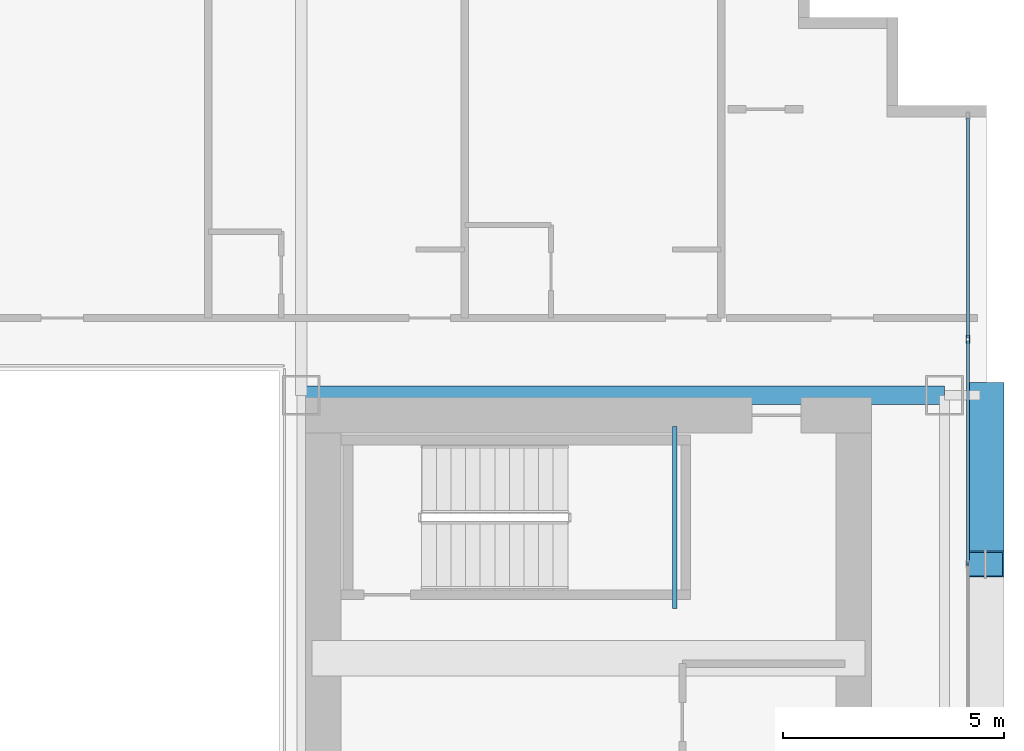
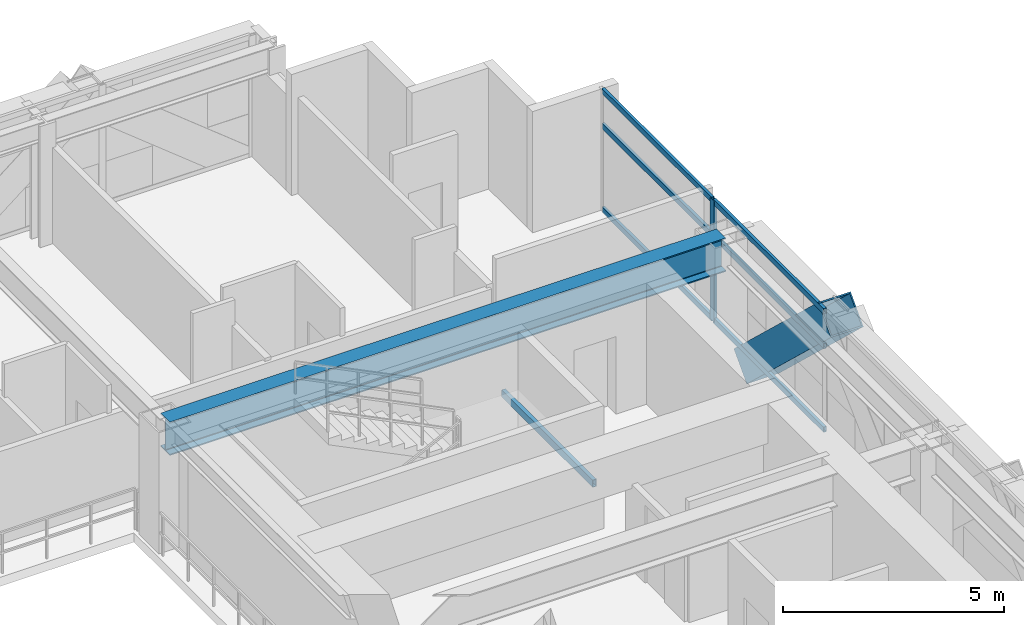
# One storey, part 20 of 35: 8 members, 2 beams, 1 element without a shape of its own.
"""IFC4 building model written with IfcOpenShell, lengths in metres."""

from ifc_helpers import new_model, si_unit, direction, frame, origin, origin_2d, place, context, subcontext, project, spatial, hollow_rectangle, i_section, extrude, source, transform, mapped, material, layer, layer_set, material_profile, profile_set, type_object, element, aggregate, save


model = new_model("IFC4")

# Units and contexts
model_context = context("Model", 3, precision=1e-05, world=origin(), true_north=direction((0.0, 1.0)))
body_context = subcontext(model_context, "Body", "Model", "MODEL_VIEW")
ifc_project = project(units=[si_unit("LENGTHUNIT", "METRE"), si_unit("AREAUNIT", "SQUARE_METRE"), si_unit("VOLUMEUNIT", "CUBIC_METRE"), si_unit("PLANEANGLEUNIT", "RADIAN"), si_unit("MASSUNIT", "GRAM", prefix="KILO")], contexts=[model_context])

# Site, building, storey
site_placement = place(None, origin())
site = spatial("IfcSite", under=ifc_project, at=site_placement, CompositionType="ELEMENT")
building_placement = place(site_placement, origin())
building = spatial("IfcBuilding", under=site, at=building_placement, Name="Ocotamira Hotel", CompositionType="ELEMENT")
storey_placement = place(building_placement, frame((0.0, 0.0, 49.199951171875)))
storey = spatial("IfcBuildingStorey", under=building, at=storey_placement, Name="L11", CompositionType="ELEMENT", Elevation=49.199951171875)

# Beams
ifc_material_1 = material(Name="Steel ASTM A500 Grade C", Category="steel")
ifc_material_profile_1 = material_profile(ifc_material_1, hollow_rectangle(XDim=0.10009765625, YDim=0.199951171875, WallThickness=0.008056640625, at=origin_2d()), Name="HSS200X100X8")
ifc_profile_set_1 = profile_set([ifc_material_profile_1], Name="Steel ASTM A500 Grade C")
beam_type_1 = type_object("IfcBeamType", Name="BM-STLDG-HSS200", PredefinedType="BEAM", material=ifc_profile_set_1)
shared_shape_1 = source(origin(), body_context, "Body", "SweptSolid", [
    extrude(hollow_rectangle(XDim=0.10009765625, YDim=0.199951171875, WallThickness=0.008056640625, at=origin_2d()), origin(), (0.0, 0.0, 1.0), 4.1201171875),
])
beam_1_placement = place(storey_placement, frame((48.949951171875, 32.6298828125, 1.5), z_axis=(0.0, 1.0, 0.0), x_axis=(-1.0, 0.0, 0.0)))
element("IfcBeam", 1, at=beam_1_placement, inside=storey, type_object=beam_type_1, Name="L11 Stair ST-4 Landing Bearer 1", PredefinedType="BEAM", context=body_context, shape_type="MappedRepresentation", body=[
    mapped(shared_shape_1, transform((0.0, 0.0, 0.0), scale=1.0)),
])
ifc_material_2 = material(Name="Steel ASTM A992 Grade 50", Category="steel")
ifc_material_profile_2 = material_profile(ifc_material_2, i_section(OverallWidth=0.41796875, OverallDepth=0.927001953125, WebThickness=0.019287109375, FlangeThickness=0.031982421875, FilletRadius=0.02392578125, at=origin_2d()), Name="W36X231")
ifc_profile_set_2 = profile_set([ifc_material_profile_2], Name="Steel ASTM A992 Grade 50")
beam_type_2 = type_object("IfcBeamType", Name="BM-GIRD-W36X231", PredefinedType="BEAM", material=ifc_profile_set_2)
shared_shape_2 = source(origin(), body_context, "Body", "SweptSolid", [
    extrude(i_section(OverallWidth=0.41796875, OverallDepth=0.927001953125, WebThickness=0.019287109375, FlangeThickness=0.031982421875, FilletRadius=0.02392578125, at=origin_2d()), origin(), (0.0, 0.0, 1.0), 14.550048828125),
])
beam_2_placement = place(storey_placement, frame((40.5, 37.449951171875, 2.886474609375), z_axis=(1.0, 0.0, 0.0), x_axis=(0.0, 1.0, 0.0)))
element("IfcBeam", 2, at=beam_2_placement, inside=storey, type_object=beam_type_2, Name="L11 Girder Y37.45 X40.5-55.05", PredefinedType="BEAM", context=body_context, shape_type="MappedRepresentation", body=[
    mapped(shared_shape_2, transform((0.0, 0.0, 0.0), scale=1.0)),
])

# Member
ifc_material_3 = material(Name="Pale-metal coated steel ASTM A913 Grade 65", Category="steel")
ifc_material_profile_3 = material_profile(ifc_material_3, hollow_rectangle(XDim=0.85009765625, YDim=0.85009765625, WallThickness=0.035888671875, at=origin_2d()), Name="BOX850X850X36")
ifc_profile_set_3 = profile_set([ifc_material_profile_3], Name="Pale-metal coated steel ASTM A913 Grade 65")
member_type_1 = type_object("IfcMemberType", Name="MEM-EXO-BOX850", PredefinedType="BRACE", material=ifc_profile_set_3)
shared_shape_3 = source(origin(), body_context, "Body", "SweptSolid", [
    extrude(hollow_rectangle(XDim=0.85009765625, YDim=0.85009765625, WallThickness=0.035888671875, at=origin_2d()), origin(), (0.0, 0.0, 1.0), 5.24658203125),
])
member_1_placement = place(storey_placement, frame((55.969970703125, 37.449951171875, -0.5), z_axis=(0.0, -0.727442733726, 0.686168397078), x_axis=(1.0, 0.0, 0.0)))
element("IfcMember", 3, at=member_1_placement, inside=storey, type_object=member_type_1, Name="L11 Exoskeleton Diagrid E2.2", PredefinedType="BRACE", context=body_context, shape_type="MappedRepresentation", body=[
    mapped(shared_shape_3, transform((0.0, 0.0, 0.0), scale=1.0)),
])

# Curtain wall, members
ifc_material_4 = material(Name="Anodised pale-metal aluminium and solar glass", Category="aluminium")
ifc_layer = layer(ifc_material_4, 0.179931640625)
ifc_layer_set = layer_set([ifc_layer], Name="Anodised pale-metal aluminium and solar glass")
curtain_wall_type = type_object("IfcCurtainWallType", Name="CW-SYS2-Z1", PredefinedType="NOTDEFINED", material=ifc_layer_set)
curtain_wall_placement = place(storey_placement, origin())
curtain_wall = element("IfcCurtainWall", 4, at=curtain_wall_placement, inside=storey, type_object=curtain_wall_type, Name="L11 Curtain Wall CW-2 CW-L11-E", PredefinedType="NOTDEFINED")
ifc_material_5 = material(Name="Anodised pale-metal aluminium 6063-T6", Category="aluminium")
ifc_material_profile_4 = material_profile(ifc_material_5, hollow_rectangle(XDim=0.074951171875, YDim=0.14990234375, WallThickness=0.006103515625, at=origin_2d()), Name="HSS150X75X6")
ifc_profile_set_4 = profile_set([ifc_material_profile_4], Name="Anodised pale-metal aluminium 6063-T6")
member_type_2 = type_object("IfcMemberType", Name="CWT-150X75", PredefinedType="USERDEFINED", material=ifc_profile_set_4)
shared_shape_4 = source(origin(), body_context, "Body", "SweptSolid", [
    extrude(hollow_rectangle(XDim=0.074951171875, YDim=0.14990234375, WallThickness=0.006103515625, at=origin_2d()), origin(), (0.0, 0.0, 1.0), 4.965576171875),
])
member_2_placement = place(storey_placement, frame((55.580078125, 38.75439453125, 0.03759765625), z_axis=(0.0, 1.0, 0.0), x_axis=(-1.0, 0.0, 0.0)))
member_2 = element("IfcMember", 5, at=member_2_placement, type_object=member_type_2, Name="CW-2 transom 7.1", ObjectType="TRANSOM", PredefinedType="USERDEFINED", context=body_context, shape_type="MappedRepresentation", body=[
    mapped(shared_shape_4, transform((0.0, 0.0, 0.0), scale=1.0)),
])
member_3_placement = place(storey_placement, frame((55.580078125, 38.75439453125, 2.35009765625), z_axis=(0.0, 1.0, 0.0), x_axis=(-1.0, 0.0, 0.0)))
member_3 = element("IfcMember", 6, at=member_3_placement, type_object=member_type_2, Name="CW-2 transom 7.2", ObjectType="TRANSOM", PredefinedType="USERDEFINED", context=body_context, shape_type="MappedRepresentation", body=[
    mapped(shared_shape_4, transform((0.0, 0.0, 0.0), scale=1.0)),
])
member_4_placement = place(storey_placement, frame((55.580078125, 38.75439453125, 3.3125), z_axis=(0.0, 1.0, 0.0), x_axis=(-1.0, 0.0, 0.0)))
member_4 = element("IfcMember", 7, at=member_4_placement, type_object=member_type_2, Name="CW-2 transom 7.3", ObjectType="TRANSOM", PredefinedType="USERDEFINED", context=body_context, shape_type="MappedRepresentation", body=[
    mapped(shared_shape_4, transform((0.0, 0.0, 0.0), scale=1.0)),
])
shared_shape_5 = source(origin(), body_context, "Body", "SweptSolid", [
    extrude(hollow_rectangle(XDim=0.074951171875, YDim=0.14990234375, WallThickness=0.006103515625, at=origin_2d()), origin(), (0.0, 0.0, 1.0), 5.005859375),
])
member_5_placement = place(storey_placement, frame((55.580078125, 33.66845703125, 0.03759765625), z_axis=(0.0, 1.0, 0.0), x_axis=(-1.0, 0.0, 0.0)))
member_5 = element("IfcMember", 8, at=member_5_placement, type_object=member_type_2, Name="CW-2 transom 6.1", ObjectType="TRANSOM", PredefinedType="USERDEFINED", context=body_context, shape_type="MappedRepresentation", body=[
    mapped(shared_shape_5, transform((0.0, 0.0, 0.0), scale=1.0)),
])
member_6_placement = place(storey_placement, frame((55.580078125, 33.66845703125, 2.35009765625), z_axis=(0.0, 1.0, 0.0), x_axis=(-1.0, 0.0, 0.0)))
member_6 = element("IfcMember", 9, at=member_6_placement, type_object=member_type_2, Name="CW-2 transom 6.2", ObjectType="TRANSOM", PredefinedType="USERDEFINED", context=body_context, shape_type="MappedRepresentation", body=[
    mapped(shared_shape_5, transform((0.0, 0.0, 0.0), scale=1.0)),
])
member_7_placement = place(storey_placement, frame((55.580078125, 33.66845703125, 3.3125), z_axis=(0.0, 1.0, 0.0), x_axis=(-1.0, 0.0, 0.0)))
member_7 = element("IfcMember", 10, at=member_7_placement, type_object=member_type_2, Name="CW-2 transom 6.3", ObjectType="TRANSOM", PredefinedType="USERDEFINED", context=body_context, shape_type="MappedRepresentation", body=[
    mapped(shared_shape_5, transform((0.0, 0.0, 0.0), scale=1.0)),
])
ifc_material_profile_5 = material_profile(ifc_material_5, hollow_rectangle(XDim=0.080078125, YDim=0.179931640625, WallThickness=0.006103515625, at=origin_2d()), Name="HSS180X80X6")
ifc_profile_set_5 = profile_set([ifc_material_profile_5], Name="Anodised pale-metal aluminium 6063-T6")
member_type_3 = type_object("IfcMemberType", Name="CWM-180X75", PredefinedType="MULLION", material=ifc_profile_set_5)
shared_shape_6 = source(origin(), body_context, "Body", "SweptSolid", [
    extrude(hollow_rectangle(XDim=0.080078125, YDim=0.179931640625, WallThickness=0.006103515625, at=origin_2d()), origin(), (0.0, 0.0, 1.0), 3.35009765625),
])
member_8_placement = place(storey_placement, frame((55.580078125, 38.71435546875, 0.0), z_axis=(0.0, 0.0, 1.0), x_axis=(-1.0, 0.0, 0.0)))
member_8 = element("IfcMember", 11, at=member_8_placement, type_object=member_type_3, Name="CW-2 mullion 7", PredefinedType="MULLION", context=body_context, shape_type="MappedRepresentation", body=[
    mapped(shared_shape_6, transform((0.0, 0.0, 0.0), scale=1.0)),
])
aggregate(curtain_wall, [member_8, member_5, member_6, member_7, member_2, member_3, member_4])

save(model, "model.ifc")
